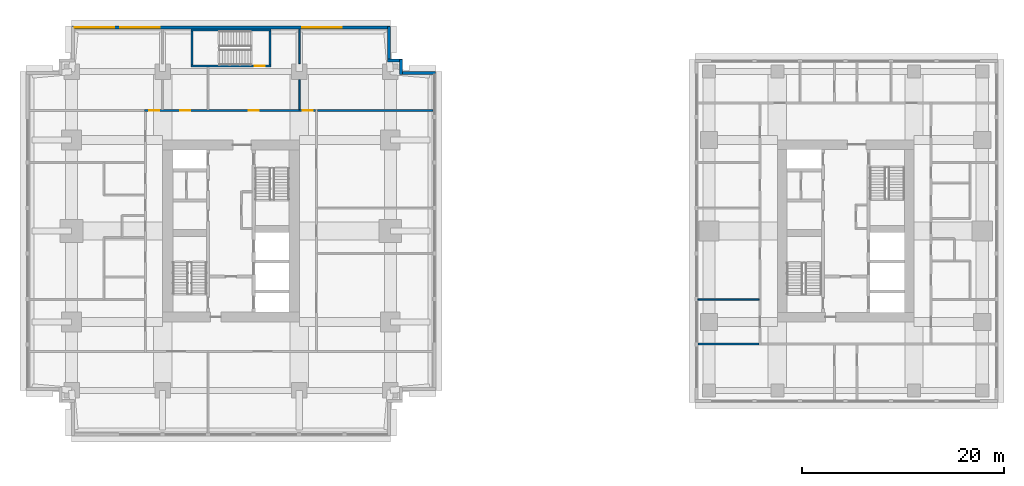
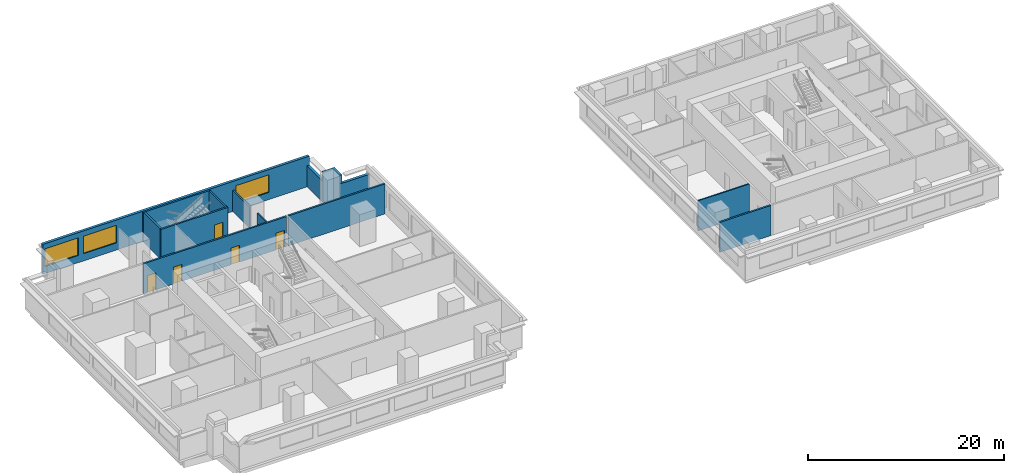
# One storey, part 5 of 11: 15 walls, 5 doors, 3 windows, 8 openings.
"""IFC4 building model written with IfcOpenShell, lengths in metres."""

from ifc_helpers import new_model, si_unit, direction, frame, frame_2d, origin, place, context, subcontext, project, spatial, rectangle, extrude, material, layer, layer_set, type_object, element, fill, save


model = new_model("IFC4")

# Units and contexts
model_context = context("Model", 3, precision=1e-05, world=origin(), true_north=direction((0.0, 1.0)))
body_context = subcontext(model_context, "Body", "Model", "MODEL_VIEW")
ifc_project = project(units=[si_unit("LENGTHUNIT", "METRE"), si_unit("AREAUNIT", "SQUARE_METRE"), si_unit("VOLUMEUNIT", "CUBIC_METRE"), si_unit("PLANEANGLEUNIT", "RADIAN"), si_unit("MASSUNIT", "GRAM", prefix="KILO")], contexts=[model_context])

# Site, building, storey
site_placement = place(None, origin())
site = spatial("IfcSite", under=ifc_project, at=site_placement, CompositionType="ELEMENT")
building_placement = place(site_placement, origin())
building = spatial("IfcBuilding", under=site, at=building_placement, Name="Namib Vertical Campus", CompositionType="ELEMENT")
storey_placement = place(building_placement, frame((0.0, 0.0, 225.0)))
storey = spatial("IfcBuildingStorey", under=building, at=storey_placement, Name="L53", CompositionType="ELEMENT", Elevation=225.0)

# Wall, openings, doors
ifc_material_1 = material(Name="Concrete masonry", Category="masonry")
ifc_layer_1 = layer(ifc_material_1, 0.199951171875)
ifc_layer_set_1 = layer_set([ifc_layer_1], Name="Corridor wall 200")
wall_type_1 = type_object("IfcWallType", Name="Corridor wall 200", PredefinedType="SOLIDWALL", material=ifc_layer_set_1)
wall_1_placement = place(storey_placement, frame((28.60009765625, 32.14990234375, 0.0), z_axis=(0.0, 0.0, 1.0), x_axis=(-1.0, 0.0, 0.0)))
wall_1 = element("IfcWall", 1, at=wall_1_placement, inside=storey, type_object=wall_type_1, Name="Corridor wall A L53 CN", PredefinedType="SOLIDWALL", context=body_context, shape_type="SweptSolid", body=[
    extrude(rectangle(XDim=16.900146484375, YDim=0.199951171875, at=frame_2d((8.4501953125, 0.0))), origin(), (0.0, 0.0, 1.0), 3.75),
])
opening_1_placement = place(wall_1_placement, frame((15.425048828125, 0.0, 0.0)))
opening_1 = element("IfcOpeningElement", 2, at=opening_1_placement, cuts=wall_1, Name="Opening CD1", PredefinedType="OPENING", context=body_context, shape_type="SweptSolid", body=[
    extrude(rectangle(XDim=1.0, YDim=2.10009765625, at=frame_2d((0.5, 1.050048828125))), frame((0.0, 0.10986328125, 0.0), z_axis=(0.0, -1.0, 0.0), x_axis=(1.0, 0.0, 0.0)), (0.0, 0.0, 1.0), 0.219970703125),
])
opening_2_placement = place(wall_1_placement, frame((12.35009765625, 0.0, 0.0)))
opening_2 = element("IfcOpeningElement", 3, at=opening_2_placement, cuts=wall_1, Name="Opening CD1", PredefinedType="OPENING", context=body_context, shape_type="SweptSolid", body=[
    extrude(rectangle(XDim=1.0, YDim=2.10009765625, at=frame_2d((0.5, 1.050048828125))), frame((0.0, 0.10986328125, 0.0), z_axis=(0.0, -1.0, 0.0), x_axis=(1.0, 0.0, 0.0)), (0.0, 0.0, 1.0), 0.219970703125),
])
opening_3_placement = place(wall_1_placement, frame((5.60009765625, 0.0, 0.0)))
opening_3 = element("IfcOpeningElement", 4, at=opening_3_placement, cuts=wall_1, Name="Opening CD1", PredefinedType="OPENING", context=body_context, shape_type="SweptSolid", body=[
    extrude(rectangle(XDim=1.0, YDim=2.10009765625, at=frame_2d((0.5, 1.050048828125))), frame((0.0, 0.10986328125, 0.0), z_axis=(0.0, -1.0, 0.0), x_axis=(1.0, 0.0, 0.0)), (0.0, 0.0, 1.0), 0.219970703125),
])
opening_4_placement = place(wall_1_placement, frame((0.27490234375, 0.0, 0.0)))
opening_4 = element("IfcOpeningElement", 5, at=opening_4_placement, cuts=wall_1, Name="Opening CD1", PredefinedType="OPENING", context=body_context, shape_type="SweptSolid", body=[
    extrude(rectangle(XDim=1.0, YDim=2.10009765625, at=frame_2d((0.5, 1.050048828125))), frame((0.0, 0.10986328125, 0.0), z_axis=(0.0, -1.0, 0.0), x_axis=(1.0, 0.0, 0.0)), (0.0, 0.0, 1.0), 0.219970703125),
])
ifc_material_2 = material(Name="Timber fire door leaf", Category="wood")
door_type_1 = type_object("IfcDoorType", Name="Corridor door 1000x2100 20 min", OperationType="SINGLE_SWING_LEFT", PredefinedType="DOOR", material=ifc_material_2)
door_1_placement = place(opening_1_placement, frame((1.0, 0.0, 0.0), z_axis=(0.0, 0.0, 1.0), x_axis=(-1.0, 0.0, 0.0)))
door_1 = element("IfcDoor", 6, at=door_1_placement, inside=storey, type_object=door_type_1, Name="Door CD1 A53-06", OperationType="SINGLE_SWING_RIGHT", OverallHeight=2.10009765625, OverallWidth=1.0, PredefinedType="DOOR", context=body_context, shape_type="SweptSolid", body=[
    extrude(rectangle(XDim=1.0, YDim=2.10009765625, at=frame_2d((0.5, 1.050048828125))), frame((0.0, 0.02490234375, 0.0), z_axis=(0.0, -1.0, 0.0), x_axis=(1.0, 0.0, 0.0)), (0.0, 0.0, 1.0), 0.050048828125),
])
fill(opening_1, door_1)
door_2_placement = place(opening_2_placement, frame((1.0, 0.0, 0.0), z_axis=(0.0, 0.0, 1.0), x_axis=(-1.0, 0.0, 0.0)))
door_2 = element("IfcDoor", 7, at=door_2_placement, inside=storey, type_object=door_type_1, Name="Door CD1 A53-07", OperationType="SINGLE_SWING_RIGHT", OverallHeight=2.10009765625, OverallWidth=1.0, PredefinedType="DOOR", context=body_context, shape_type="SweptSolid", body=[
    extrude(rectangle(XDim=1.0, YDim=2.10009765625, at=frame_2d((0.5, 1.050048828125))), frame((0.0, 0.02490234375, 0.0), z_axis=(0.0, -1.0, 0.0), x_axis=(1.0, 0.0, 0.0)), (0.0, 0.0, 1.0), 0.050048828125),
])
fill(opening_2, door_2)
door_3_placement = place(opening_3_placement, frame((1.0, 0.0, 0.0), z_axis=(0.0, 0.0, 1.0), x_axis=(-1.0, 0.0, 0.0)))
door_3 = element("IfcDoor", 8, at=door_3_placement, inside=storey, type_object=door_type_1, Name="Door CD1 A53-08", OperationType="SINGLE_SWING_RIGHT", OverallHeight=2.10009765625, OverallWidth=1.0, PredefinedType="DOOR", context=body_context, shape_type="SweptSolid", body=[
    extrude(rectangle(XDim=1.0, YDim=2.10009765625, at=frame_2d((0.5, 1.050048828125))), frame((0.0, 0.02490234375, 0.0), z_axis=(0.0, -1.0, 0.0), x_axis=(1.0, 0.0, 0.0)), (0.0, 0.0, 1.0), 0.050048828125),
])
fill(opening_3, door_3)
door_4_placement = place(opening_4_placement, frame((1.0, 0.0, 0.0), z_axis=(0.0, 0.0, 1.0), x_axis=(-1.0, 0.0, 0.0)))
door_4 = element("IfcDoor", 9, at=door_4_placement, inside=storey, type_object=door_type_1, Name="Door CD1 A53-09", OperationType="SINGLE_SWING_LEFT", OverallHeight=2.10009765625, OverallWidth=1.0, PredefinedType="DOOR", context=body_context, shape_type="SweptSolid", body=[
    extrude(rectangle(XDim=1.0, YDim=2.10009765625, at=frame_2d((0.5, 1.050048828125))), frame((0.0, 0.02490234375, 0.0), z_axis=(0.0, -1.0, 0.0), x_axis=(1.0, 0.0, 0.0)), (0.0, 0.0, 1.0), 0.050048828125),
])
fill(opening_4, door_4)

# Walls
wall_2_placement = place(storey_placement, frame((28.800048828125, 32.14990234375, 0.0), z_axis=(0.0, 0.0, 1.0), x_axis=(1.0, 0.0, 0.0)))
element("IfcWall", 10, at=wall_2_placement, inside=storey, type_object=wall_type_1, Name="Partition A L53 BNE", PredefinedType="SOLIDWALL", context=body_context, shape_type="SweptSolid", body=[
    extrude(rectangle(XDim=11.39990234375, YDim=0.199951171875, at=frame_2d((5.699951171875, 0.0))), origin(), (0.0, 0.0, 1.0), 3.75),
])
wall_3_placement = place(storey_placement, frame((66.39990234375, 9.10009765625, 0.0), z_axis=(0.0, 0.0, 1.0), x_axis=(1.0, 0.0, 0.0)))
element("IfcWall", 11, at=wall_3_placement, inside=storey, type_object=wall_type_1, Name="Partition B L53 BSW", PredefinedType="SOLIDWALL", context=body_context, shape_type="SweptSolid", body=[
    extrude(rectangle(XDim=6.050048828125, YDim=0.199951171875, at=frame_2d((3.02490234375, 0.0))), origin(), (0.0, 0.0, 1.0), 3.75),
])
ifc_material_3 = material(Name="Concrete C40/50", Category="concrete")
ifc_layer_2 = layer(ifc_material_3, 0.300048828125)
ifc_layer_set_2 = layer_set([ifc_layer_2], Name="Concrete C40/50")
wall_type_2 = type_object("IfcWallType", Name="External wall 300 board-marked concrete", PredefinedType="STANDARD", material=ifc_layer_set_2)
wall_4_placement = place(storey_placement, frame((40.47998046875, 35.85009765625, 0.0), z_axis=(0.0, 0.0, 1.0), x_axis=(-1.0, 0.0, 0.0)))
element("IfcWall", 12, at=wall_4_placement, inside=storey, type_object=wall_type_2, Name="External wall L53 F07", PredefinedType="STANDARD", context=body_context, shape_type="SweptSolid", body=[
    extrude(rectangle(XDim=3.534912109375, YDim=0.300048828125, at=frame_2d((1.767578125, 0.0))), origin(), (0.0, 0.0, 1.0), 2.64990234375),
])
for number, where, z_axis, x_axis, name in (
    (13, (37.074951171875, 35.719970703125, 0.0), (0.0, 0.0, 1.0), (0.0, 1.0, 0.0), "External wall L53 F08"),
    (14, (37.205078125, 37.074951171875, 0.0), (0.0, 0.0, 1.0), (-1.0, 0.0, 0.0), "External wall L53 F09"),
):
    element("IfcWall", number, at=place(storey_placement, frame(where, z_axis=z_axis, x_axis=x_axis)), inside=storey, type_object=wall_type_2, Name=name, PredefinedType="STANDARD", context=body_context, shape_type="SweptSolid", body=[
        extrude(rectangle(XDim=1.485107421875, YDim=0.300048828125, at=frame_2d((0.74267578125, 0.0))), origin(), (0.0, 0.0, 1.0), 3.75),
    ])
wall_5_placement = place(storey_placement, frame((35.85009765625, 36.945068359375, 0.0), z_axis=(0.0, 0.0, 1.0), x_axis=(0.0, 1.0, 0.0)))
element("IfcWall", 15, at=wall_5_placement, inside=storey, type_object=wall_type_2, Name="External wall L53 F10", PredefinedType="STANDARD", context=body_context, shape_type="SweptSolid", body=[
    extrude(rectangle(XDim=3.534912109375, YDim=0.300048828125, at=frame_2d((1.767578125, 0.0))), origin(), (0.0, 0.0, 1.0), 2.64990234375),
])

# Wall, openings, windows
wall_6_placement = place(storey_placement, frame((35.97998046875, 40.35009765625, 0.0), z_axis=(0.0, 0.0, 1.0), x_axis=(-1.0, 0.0, 0.0)))
wall_6 = element("IfcWall", 16, at=wall_6_placement, inside=storey, type_object=wall_type_2, Name="External wall L53 F11", PredefinedType="STANDARD", context=body_context, shape_type="SweptSolid", body=[
    extrude(rectangle(XDim=31.4599609375, YDim=0.300048828125, at=frame_2d((15.72998046875, 0.0))), origin(), (0.0, 0.0, 1.0), 3.75),
])
opening_5_placement = place(wall_6_placement, frame((27.280029296875, 0.0, 0.89990234375)))
opening_5 = element("IfcOpeningElement", 17, at=opening_5_placement, cuts=wall_6, Name="Opening W1", PredefinedType="OPENING", context=body_context, shape_type="SweptSolid", body=[
    extrude(rectangle(XDim=3.89990234375, YDim=2.199951171875, at=frame_2d((1.949951171875, 1.10009765625))), frame((0.0, 0.159912109375, 0.0), z_axis=(0.0, -1.0, 0.0), x_axis=(1.0, 0.0, 0.0)), (0.0, 0.0, 1.0), 0.320068359375),
])
opening_6_placement = place(wall_6_placement, frame((22.780029296875, 0.0, 0.89990234375)))
opening_6 = element("IfcOpeningElement", 18, at=opening_6_placement, cuts=wall_6, Name="Opening W1", PredefinedType="OPENING", context=body_context, shape_type="SweptSolid", body=[
    extrude(rectangle(XDim=3.89990234375, YDim=2.199951171875, at=frame_2d((1.949951171875, 1.10009765625))), frame((0.0, 0.159912109375, 0.0), z_axis=(0.0, -1.0, 0.0), x_axis=(1.0, 0.0, 0.0)), (0.0, 0.0, 1.0), 0.320068359375),
])
opening_7_placement = place(wall_6_placement, frame((4.780029296875, 0.0, 0.89990234375)))
opening_7 = element("IfcOpeningElement", 19, at=opening_7_placement, cuts=wall_6, Name="Opening W1", PredefinedType="OPENING", context=body_context, shape_type="SweptSolid", body=[
    extrude(rectangle(XDim=3.89990234375, YDim=2.199951171875, at=frame_2d((1.949951171875, 1.10009765625))), frame((0.0, 0.159912109375, 0.0), z_axis=(0.0, -1.0, 0.0), x_axis=(1.0, 0.0, 0.0)), (0.0, 0.0, 1.0), 0.320068359375),
])
ifc_material_4 = material(Name="Dark tinted glass in black aluminium frame", Category="aluminium")
window_type = type_object("IfcWindowType", Name="Ribbon window 3900x2200", PartitioningType="SINGLE_PANEL", PredefinedType="WINDOW", material=ifc_material_4)
window_1_placement = place(opening_5_placement, origin())
window_1 = element("IfcWindow", 20, at=window_1_placement, inside=storey, type_object=window_type, Name="Window W1 L53 F11-1", OverallHeight=2.199951171875, OverallWidth=3.89990234375, PartitioningType="SINGLE_PANEL", PredefinedType="WINDOW", context=body_context, shape_type="SweptSolid", body=[
    extrude(rectangle(XDim=3.89990234375, YDim=2.199951171875, at=frame_2d((1.949951171875, 1.10009765625))), frame((0.0, 0.030029296875, 0.0), z_axis=(0.0, -1.0, 0.0), x_axis=(1.0, 0.0, 0.0)), (0.0, 0.0, 1.0), 0.06005859375),
])
fill(opening_5, window_1)
window_2_placement = place(opening_6_placement, origin())
window_2 = element("IfcWindow", 21, at=window_2_placement, inside=storey, type_object=window_type, Name="Window W1 L53 F11-2", OverallHeight=2.199951171875, OverallWidth=3.89990234375, PartitioningType="SINGLE_PANEL", PredefinedType="WINDOW", context=body_context, shape_type="SweptSolid", body=[
    extrude(rectangle(XDim=3.89990234375, YDim=2.199951171875, at=frame_2d((1.949951171875, 1.10009765625))), frame((0.0, 0.030029296875, 0.0), z_axis=(0.0, -1.0, 0.0), x_axis=(1.0, 0.0, 0.0)), (0.0, 0.0, 1.0), 0.06005859375),
])
fill(opening_6, window_2)
window_3_placement = place(opening_7_placement, origin())
window_3 = element("IfcWindow", 22, at=window_3_placement, inside=storey, type_object=window_type, Name="Window W1 L53 F11-6", OverallHeight=2.199951171875, OverallWidth=3.89990234375, PartitioningType="SINGLE_PANEL", PredefinedType="WINDOW", context=body_context, shape_type="SweptSolid", body=[
    extrude(rectangle(XDim=3.89990234375, YDim=2.199951171875, at=frame_2d((1.949951171875, 1.10009765625))), frame((0.0, 0.030029296875, 0.0), z_axis=(0.0, -1.0, 0.0), x_axis=(1.0, 0.0, 0.0)), (0.0, 0.0, 1.0), 0.06005859375),
])
fill(opening_7, window_3)

# Walls
ifc_material_5 = material(Name="Gypsum board on steel studs", Category="steel")
ifc_layer_3 = layer(ifc_material_5, 0.14990234375)
ifc_layer_set_3 = layer_set([ifc_layer_3], Name="Gypsum board on steel studs")
wall_type_3 = type_object("IfcWallType", Name="Partition 150", PredefinedType="PARTITIONING", material=ifc_layer_set_3)
wall_7_placement = place(storey_placement, frame((27.0, 32.25, 0.0), z_axis=(0.0, 0.0, 1.0), x_axis=(0.0, 1.0, 0.0)))
element("IfcWall", 23, at=wall_7_placement, inside=storey, type_object=wall_type_3, Name="Partition A L53 PN3", PredefinedType="PARTITIONING", context=body_context, shape_type="SweptSolid", body=[
    extrude(rectangle(XDim=2.955078125, YDim=0.14990234375, at=frame_2d((1.4775390625, 0.0))), origin(), (0.0, 0.0, 1.0), 2.85009765625),
])
wall_8_placement = place(storey_placement, frame((27.0, 36.794921875, 0.0), z_axis=(0.0, 0.0, 1.0), x_axis=(0.0, 1.0, 0.0)))
element("IfcWall", 24, at=wall_8_placement, inside=storey, type_object=wall_type_3, Name="Partition A L53 PN3", PredefinedType="PARTITIONING", context=body_context, shape_type="SweptSolid", body=[
    extrude(rectangle(XDim=3.405029296875, YDim=0.14990234375, at=frame_2d((1.70263671875, 0.0))), origin(), (0.0, 0.0, 1.0), 2.64990234375),
])
wall_9_placement = place(storey_placement, frame((66.39990234375, 13.5, 0.0), z_axis=(0.0, 0.0, 1.0), x_axis=(1.0, 0.0, 0.0)))
element("IfcWall", 25, at=wall_9_placement, inside=storey, type_object=wall_type_3, Name="Partition B L53 PW1", PredefinedType="PARTITIONING", context=body_context, shape_type="SweptSolid", body=[
    extrude(rectangle(XDim=6.050048828125, YDim=0.14990234375, at=frame_2d((3.02490234375, 0.0))), origin(), (0.0, 0.0, 1.0), 3.75),
])

# Wall, opening, door
ifc_material_6 = material(Name="Concrete C40/50", Category="concrete")
ifc_layer_4 = layer(ifc_material_6, 0.199951171875)
ifc_layer_set_4 = layer_set([ifc_layer_4], Name="Concrete C40/50")
wall_type_4 = type_object("IfcWallType", Name="Stair enclosure wall RC 200", PredefinedType="SOLIDWALL", material=ifc_layer_set_4)
wall_10_placement = place(storey_placement, frame((16.300048828125, 36.550048828125, 0.0), z_axis=(0.0, 0.0, 1.0), x_axis=(1.0, 0.0, 0.0)))
wall_10 = element("IfcWall", 26, at=wall_10_placement, inside=storey, type_object=wall_type_4, Name="Stair enclosure wall A-S3 L53 S", PredefinedType="SOLIDWALL", context=body_context, shape_type="SweptSolid", body=[
    extrude(rectangle(XDim=7.89990234375, YDim=0.199951171875, at=frame_2d((3.949951171875, 0.0))), origin(), (0.0, 0.0, 1.0), 3.75),
])
opening_8_placement = place(wall_10_placement, frame((6.300048828125, 0.0, 0.0)))
opening_8 = element("IfcOpeningElement", 27, at=opening_8_placement, cuts=wall_10, Name="Opening FD1", PredefinedType="OPENING", context=body_context, shape_type="SweptSolid", body=[
    extrude(rectangle(XDim=1.0, YDim=2.10009765625, at=frame_2d((0.5, 1.050048828125))), frame((0.0, 0.10986328125, 0.0), z_axis=(0.0, -1.0, 0.0), x_axis=(1.0, 0.0, 0.0)), (0.0, 0.0, 1.0), 0.219970703125),
])
ifc_material_7 = material(Name="Steel fire door", Category="steel")
door_type_2 = type_object("IfcDoorType", Name="Fire door 1000x2100", OperationType="SINGLE_SWING_RIGHT", PredefinedType="DOOR", material=ifc_material_7)
door_5_placement = place(opening_8_placement, origin())
door_5 = element("IfcDoor", 28, at=door_5_placement, inside=storey, type_object=door_type_2, Name="Stair door FD1 A L53 S3", OperationType="SINGLE_SWING_RIGHT", OverallHeight=2.10009765625, OverallWidth=1.0, PredefinedType="DOOR", context=body_context, shape_type="SweptSolid", body=[
    extrude(rectangle(XDim=1.0, YDim=2.10009765625, at=frame_2d((0.5, 1.050048828125))), frame((0.0, 0.02490234375, 0.0), z_axis=(0.0, -1.0, 0.0), x_axis=(1.0, 0.0, 0.0)), (0.0, 0.0, 1.0), 0.050048828125),
])
fill(opening_8, door_5)

# Walls
wall_11_placement = place(storey_placement, frame((16.300048828125, 40.10009765625, 0.0), z_axis=(0.0, 0.0, 1.0), x_axis=(1.0, 0.0, 0.0)))
element("IfcWall", 29, at=wall_11_placement, inside=storey, type_object=wall_type_4, Name="Stair enclosure wall A-S3 L53 N", PredefinedType="SOLIDWALL", context=body_context, shape_type="SweptSolid", body=[
    extrude(rectangle(XDim=7.89990234375, YDim=0.199951171875, at=frame_2d((3.949951171875, 0.0))), origin(), (0.0, 0.0, 1.0), 3.75),
])
for number, where, z_axis, x_axis, name in (
    (30, (16.39990234375, 36.64990234375, 0.0), (0.0, 0.0, 1.0), (0.0, 1.0, 0.0), "Stair enclosure wall A-S3 L53 W"),
    (31, (24.10009765625, 36.64990234375, 0.0), (0.0, 0.0, 1.0), (0.0, 1.0, 0.0), "Stair enclosure wall A-S3 L53 E"),
):
    element("IfcWall", number, at=place(storey_placement, frame(where, z_axis=z_axis, x_axis=x_axis)), inside=storey, type_object=wall_type_4, Name=name, PredefinedType="SOLIDWALL", context=body_context, shape_type="SweptSolid", body=[
        extrude(rectangle(XDim=3.35009765625, YDim=0.199951171875, at=frame_2d((1.675048828125, 0.0))), origin(), (0.0, 0.0, 1.0), 3.75),
    ])

save(model, "model.ifc")
